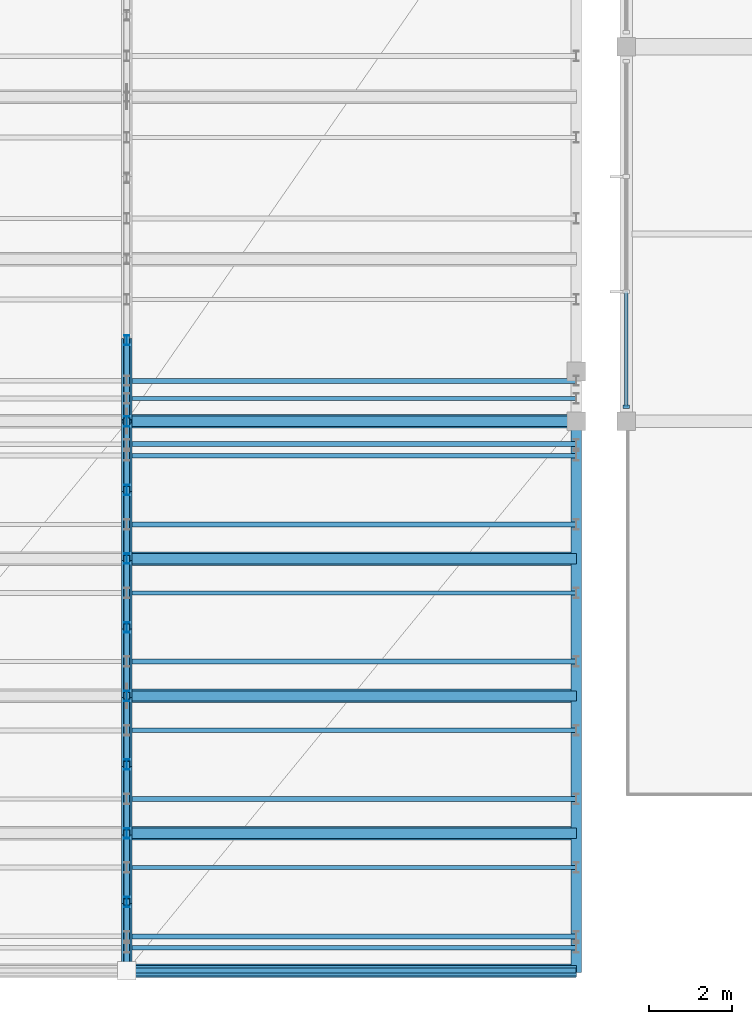
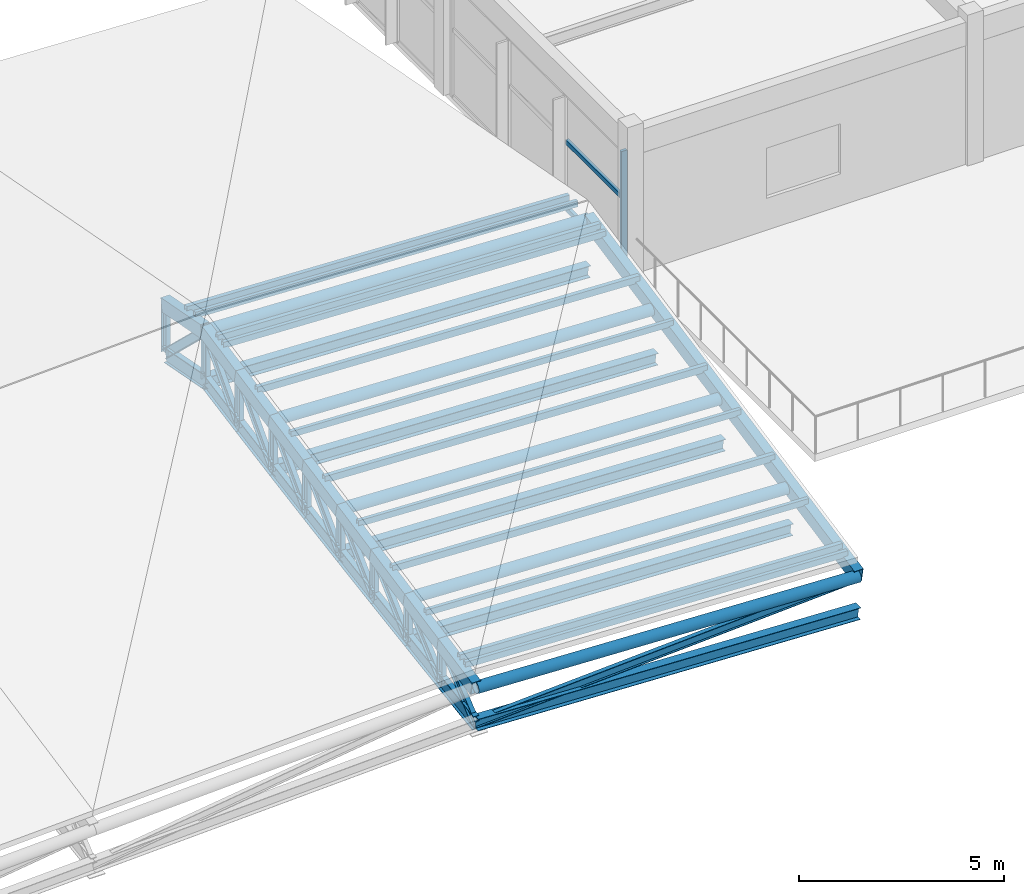
# One storey, part 33 of 89: 44 members, 19 beams, 1 element without a shape of its own.
"""IFC4 building model written with IfcOpenShell, lengths in metres."""

from ifc_helpers import new_model, si_unit, direction, frame, origin, origin_2d, place, context, subcontext, project, spatial, rectangle, hollow_rectangle, hollow_circle, i_section, extrude, material, material_profile, profile_set, type_object, element, aggregate, save


model = new_model("IFC4")

# Units and contexts
model_context = context("Model", 3, precision=1e-05, world=origin(), true_north=direction((0.0, 1.0)))
body_context = subcontext(model_context, "Body", "Model", "MODEL_VIEW")
ifc_project = project(units=[si_unit("LENGTHUNIT", "METRE"), si_unit("AREAUNIT", "SQUARE_METRE"), si_unit("VOLUMEUNIT", "CUBIC_METRE"), si_unit("PLANEANGLEUNIT", "RADIAN"), si_unit("MASSUNIT", "GRAM", prefix="KILO")], contexts=[model_context])

# Site, building, storey
site_placement = place(None, origin())
site = spatial("IfcSite", under=ifc_project, at=site_placement, CompositionType="ELEMENT")
building_placement = place(site_placement, origin())
building = spatial("IfcBuilding", under=site, at=building_placement, Name="Suirenkawa Promenade Aquatics Centre", CompositionType="ELEMENT")
storey_placement = place(building_placement, frame((0.0, 0.0, 9.60009765625)))
storey = spatial("IfcBuildingStorey", under=building, at=storey_placement, Name="L02", CompositionType="ELEMENT", Elevation=9.60009765625)

# Beams
ifc_material_1 = material(Name="Steel IS 2062 E350 (Grade 350)", Category="steel")
ifc_material_profile_1 = material_profile(ifc_material_1, i_section(OverallWidth=0.14990234375, OverallDepth=0.449951171875, WebThickness=0.009033203125, FlangeThickness=0.01708984375, at=origin_2d()), Name="ISMB 450", Category="steel")
ifc_profile_set_1 = profile_set([ifc_material_profile_1], Name="Steel IS 2062 E350 (Grade 350)")
beam_type_1 = type_object("IfcBeamType", Name="BT-STL-ISMB450", PredefinedType="BEAM", material=ifc_profile_set_1)
beam_1_placement = place(storey_placement, frame((144.0, 0.0, -1.260009765625), z_axis=(0.0, 0.988714190876, 0.149814047271), x_axis=(-1.0, 0.0, 0.0)))
element("IfcBeam", 1, at=beam_1_placement, inside=storey, type_object=beam_type_1, Name="ROOF TRUSS V3 bottom chord BM-08 BM-2768", PredefinedType="BEAM", context=body_context, shape_type="SweptSolid", body=[
    extrude(i_section(OverallWidth=0.14990234375, OverallDepth=0.449951171875, WebThickness=0.009033203125, FlangeThickness=0.01708984375, at=origin_2d()), origin(), (0.0, 0.0, 1.0), 1.668701171875),
])
beam_2_placement = place(storey_placement, frame((144.0, 1.64990234375, -1.010009765625), z_axis=(0.0, 0.988368316367, 0.152079160974), x_axis=(-1.0, 0.0, 0.0)))
element("IfcBeam", 2, at=beam_2_placement, inside=storey, type_object=beam_type_1, Name="ROOF TRUSS V3 bottom chord BM-08 BM-2770", PredefinedType="BEAM", context=body_context, shape_type="SweptSolid", body=[
    extrude(i_section(OverallWidth=0.14990234375, OverallDepth=0.449951171875, WebThickness=0.009033203125, FlangeThickness=0.01708984375, at=origin_2d()), origin(), (0.0, 0.0, 1.0), 1.669677734375),
])
beam_3_placement = place(storey_placement, frame((144.0, 3.300048828125, -0.756103515625), z_axis=(0.0, 0.987898893067, 0.155099249119), x_axis=(-1.0, 0.0, 0.0)))
element("IfcBeam", 3, at=beam_3_placement, inside=storey, type_object=beam_type_1, Name="ROOF TRUSS V3 bottom chord BM-08 BM-2772", PredefinedType="BEAM", context=body_context, shape_type="SweptSolid", body=[
    extrude(i_section(OverallWidth=0.14990234375, OverallDepth=0.449951171875, WebThickness=0.009033203125, FlangeThickness=0.01708984375, at=origin_2d()), origin(), (0.0, 0.0, 1.0), 1.670166015625),
])
beam_4_placement = place(storey_placement, frame((144.0, 4.949951171875, -0.4970703125), z_axis=(0.0, 0.987359371107, 0.158497546627), x_axis=(-1.0, 0.0, 0.0)))
element("IfcBeam", 4, at=beam_4_placement, inside=storey, type_object=beam_type_1, Name="ROOF TRUSS V3 bottom chord BM-08 BM-2774", PredefinedType="BEAM", context=body_context, shape_type="SweptSolid", body=[
    extrude(i_section(OverallWidth=0.14990234375, OverallDepth=0.449951171875, WebThickness=0.009033203125, FlangeThickness=0.01708984375, at=origin_2d()), origin(), (0.0, 0.0, 1.0), 1.67138671875),
])
beam_5_placement = place(storey_placement, frame((144.0, 6.60009765625, -0.232177734375), z_axis=(0.0, 0.986283257841, 0.165061610627), x_axis=(-1.0, 0.0, 0.0)))
element("IfcBeam", 5, at=beam_5_placement, inside=storey, type_object=beam_type_1, Name="ROOF TRUSS V3 bottom chord BM-08 BM-2776", PredefinedType="BEAM", context=body_context, shape_type="SweptSolid", body=[
    extrude(i_section(OverallWidth=0.14990234375, OverallDepth=0.449951171875, WebThickness=0.009033203125, FlangeThickness=0.01708984375, at=origin_2d()), origin(), (0.0, 0.0, 1.0), 1.6728515625),
])
beam_6_placement = place(storey_placement, frame((144.0, 8.25, 0.0439453125), z_axis=(0.0, 0.985219243782, 0.171298107642), x_axis=(-1.0, 0.0, 0.0)))
element("IfcBeam", 6, at=beam_6_placement, inside=storey, type_object=beam_type_1, Name="ROOF TRUSS V3 bottom chord BM-08 BM-2778", PredefinedType="BEAM", context=body_context, shape_type="SweptSolid", body=[
    extrude(i_section(OverallWidth=0.14990234375, OverallDepth=0.449951171875, WebThickness=0.009033203125, FlangeThickness=0.01708984375, at=origin_2d()), origin(), (0.0, 0.0, 1.0), 1.674560546875),
])
beam_7_placement = place(storey_placement, frame((144.0, 9.89990234375, 0.330810546875), z_axis=(0.0, 0.983867580991, 0.178898247823), x_axis=(-1.0, 0.0, 0.0)))
element("IfcBeam", 7, at=beam_7_placement, inside=storey, type_object=beam_type_1, Name="ROOF TRUSS V3 bottom chord BM-08 BM-2780", PredefinedType="BEAM", context=body_context, shape_type="SweptSolid", body=[
    extrude(i_section(OverallWidth=0.14990234375, OverallDepth=0.449951171875, WebThickness=0.009033203125, FlangeThickness=0.01708984375, at=origin_2d()), origin(), (0.0, 0.0, 1.0), 1.67724609375),
])
beam_8_placement = place(storey_placement, frame((144.0, 11.550048828125, 0.630859375), z_axis=(0.0, 0.982478263587, 0.186377202415), x_axis=(-1.0, 0.0, 0.0)))
element("IfcBeam", 8, at=beam_8_placement, inside=storey, type_object=beam_type_1, Name="ROOF TRUSS V3 bottom chord BM-08 BM-2782", PredefinedType="BEAM", context=body_context, shape_type="SweptSolid", body=[
    extrude(i_section(OverallWidth=0.14990234375, OverallDepth=0.449951171875, WebThickness=0.009033203125, FlangeThickness=0.01708984375, at=origin_2d()), origin(), (0.0, 0.0, 1.0), 1.679443359375),
])
beam_9_placement = place(storey_placement, frame((144.0, 13.199951171875, 0.94384765625), z_axis=(0.0, 0.982391279596, -0.186835151334), x_axis=(-1.0, 0.0, 0.0)))
element("IfcBeam", 9, at=beam_9_placement, inside=storey, type_object=beam_type_1, Name="ROOF TRUSS V3 bottom chord BM-08 BM-2784", PredefinedType="BEAM", context=body_context, shape_type="SweptSolid", body=[
    extrude(i_section(OverallWidth=0.14990234375, OverallDepth=0.449951171875, WebThickness=0.009033203125, FlangeThickness=0.01708984375, at=origin_2d()), origin(), (0.0, 0.0, 1.0), 1.98486328125),
])
ifc_material_profile_2 = material_profile(ifc_material_1, hollow_rectangle(XDim=0.25, YDim=0.39990234375, WallThickness=0.01611328125, at=origin_2d()), Name="RHS 400x250x16", Category="steel")
ifc_profile_set_2 = profile_set([ifc_material_profile_2], Name="Steel IS 2062 E350 (Grade 350)")
beam_type_2 = type_object("IfcBeamType", Name="BT-TC-RHS400", PredefinedType="BEAM", material=ifc_profile_set_2)
beam_10_placement = place(storey_placement, frame((144.0, 0.0, -0.210205078125), z_axis=(0.0, 0.980457722696, 0.196729901151), x_axis=(-1.0, 0.0, 0.0)))
element("IfcBeam", 10, at=beam_10_placement, inside=storey, type_object=beam_type_2, Name="ROOF TRUSS V3 top chord TC-03 BM-2767", PredefinedType="BEAM", context=body_context, shape_type="SweptSolid", body=[
    extrude(hollow_rectangle(XDim=0.25, YDim=0.39990234375, WallThickness=0.01611328125, at=origin_2d()), origin(), (0.0, 0.0, 1.0), 1.682861328125),
])
beam_11_placement = place(storey_placement, frame((144.0, 1.64990234375, 0.120849609375), z_axis=(0.0, 0.980351285841, 0.197259616621), x_axis=(-1.0, 0.0, 0.0)))
element("IfcBeam", 11, at=beam_11_placement, inside=storey, type_object=beam_type_2, Name="ROOF TRUSS V3 top chord TC-03 BM-2769", PredefinedType="BEAM", context=body_context, shape_type="SweptSolid", body=[
    extrude(hollow_rectangle(XDim=0.25, YDim=0.39990234375, WallThickness=0.01611328125, at=origin_2d()), origin(), (0.0, 0.0, 1.0), 1.68310546875),
])
beam_12_placement = place(storey_placement, frame((144.0, 3.300048828125, 0.452880859375), z_axis=(0.0, 0.980457722696, 0.196729901151), x_axis=(-1.0, 0.0, 0.0)))
element("IfcBeam", 12, at=beam_12_placement, inside=storey, type_object=beam_type_2, Name="ROOF TRUSS V3 top chord TC-03 BM-2771", PredefinedType="BEAM", context=body_context, shape_type="SweptSolid", body=[
    extrude(hollow_rectangle(XDim=0.25, YDim=0.39990234375, WallThickness=0.01611328125, at=origin_2d()), origin(), (0.0, 0.0, 1.0), 1.682861328125),
])
beam_13_placement = place(storey_placement, frame((144.0, 4.949951171875, 0.783935546875), z_axis=(0.0, 0.980463336519, 0.196701921042), x_axis=(-1.0, 0.0, 0.0)))
element("IfcBeam", 13, at=beam_13_placement, inside=storey, type_object=beam_type_2, Name="ROOF TRUSS V3 top chord TC-03 BM-2773", PredefinedType="BEAM", context=body_context, shape_type="SweptSolid", body=[
    extrude(hollow_rectangle(XDim=0.25, YDim=0.39990234375, WallThickness=0.01611328125, at=origin_2d()), origin(), (0.0, 0.0, 1.0), 1.68310546875),
])
for number, where, z_axis, x_axis, name in (
    (14, (144.0, 6.60009765625, 1.114990234375), (0.0, 0.980485697583, 0.196590429154), (-1.0, 0.0, 0.0), "ROOF TRUSS V3 top chord TC-03 BM-2775"),
    (15, (144.0, 8.25, 1.44580078125), (0.0, 0.980345640785, 0.197287669646), (-1.0, 0.0, 0.0), "ROOF TRUSS V3 top chord TC-03 BM-2777"),
):
    element("IfcBeam", number, at=place(storey_placement, frame(where, z_axis=z_axis, x_axis=x_axis)), inside=storey, type_object=beam_type_2, Name=name, PredefinedType="BEAM", context=body_context, shape_type="SweptSolid", body=[
        extrude(hollow_rectangle(XDim=0.25, YDim=0.39990234375, WallThickness=0.01611328125, at=origin_2d()), origin(), (0.0, 0.0, 1.0), 1.682861328125),
    ])
beam_14_placement = place(storey_placement, frame((144.0, 9.89990234375, 1.77783203125), z_axis=(0.0, 0.980463336519, 0.196701921042), x_axis=(-1.0, 0.0, 0.0)))
element("IfcBeam", 16, at=beam_14_placement, inside=storey, type_object=beam_type_2, Name="ROOF TRUSS V3 top chord TC-03 BM-2779", PredefinedType="BEAM", context=body_context, shape_type="SweptSolid", body=[
    extrude(hollow_rectangle(XDim=0.25, YDim=0.39990234375, WallThickness=0.01611328125, at=origin_2d()), origin(), (0.0, 0.0, 1.0), 1.68310546875),
])
beam_15_placement = place(storey_placement, frame((144.0, 11.550048828125, 2.10888671875), z_axis=(0.0, 0.980457722696, 0.196729901151), x_axis=(-1.0, 0.0, 0.0)))
element("IfcBeam", 17, at=beam_15_placement, inside=storey, type_object=beam_type_2, Name="ROOF TRUSS V3 top chord TC-03 BM-2781", PredefinedType="BEAM", context=body_context, shape_type="SweptSolid", body=[
    extrude(hollow_rectangle(XDim=0.25, YDim=0.39990234375, WallThickness=0.01611328125, at=origin_2d()), origin(), (0.0, 0.0, 1.0), 1.682861328125),
])
beam_16_placement = place(storey_placement, frame((144.0, 13.199951171875, 2.43994140625), z_axis=(0.0, 0.98254898431, -0.186004014558), x_axis=(-1.0, 0.0, 0.0)))
element("IfcBeam", 18, at=beam_16_placement, inside=storey, type_object=beam_type_2, Name="ROOF TRUSS V3 top chord TC-03 BM-2783", PredefinedType="BEAM", context=body_context, shape_type="SweptSolid", body=[
    extrude(hollow_rectangle(XDim=0.25, YDim=0.39990234375, WallThickness=0.01611328125, at=origin_2d()), origin(), (0.0, 0.0, 1.0), 1.984619140625),
])
beam_17_placement = place(storey_placement, frame((154.800048828125, 0.0, -0.66015625), z_axis=(0.0, 0.98043533773, 0.196841429912), x_axis=(-1.0, 0.0, 0.0)))
element("IfcBeam", 19, at=beam_17_placement, inside=storey, type_object=beam_type_2, Name="ROOF TRUSS V3 top chord TC-03 BM-2799", PredefinedType="BEAM", context=body_context, shape_type="SweptSolid", body=[
    extrude(hollow_rectangle(XDim=0.25, YDim=0.39990234375, WallThickness=0.01611328125, at=origin_2d()), origin(), (0.0, 0.0, 1.0), 13.46337890625),
])

# Curtain wall, members
ifc_material_2 = material(Name="Anodised aluminium 6063-T6", Category="aluminium")
curtain_wall_type = type_object("IfcCurtainWallType", Name="CWAT-V4WL02-36", PredefinedType="NOTDEFINED", material=ifc_material_2)
curtain_wall_placement = place(storey_placement, origin())
curtain_wall = element("IfcCurtainWall", 20, at=curtain_wall_placement, inside=storey, type_object=curtain_wall_type, Name="Curtain wall CWA-36 CW-079", PredefinedType="NOTDEFINED")
ifc_material_profile_3 = material_profile(ifc_material_2, rectangle(XDim=0.090087890625, YDim=0.159912109375, at=origin_2d()), Name="ALU MULL 90x160", Category="aluminium")
ifc_profile_set_3 = profile_set([ifc_material_profile_3], Name="Anodised aluminium 6063-T6")
member_type_1 = type_object("IfcMemberType", Name="CWM-160x90", PredefinedType="MULLION", material=ifc_profile_set_3)
member_1_placement = place(storey_placement, frame((156.0, 13.549072265625, 0.0), z_axis=(0.0, 0.0, 1.0), x_axis=(0.0, 1.0, 0.0)))
member_1 = element("IfcMember", 21, at=member_1_placement, type_object=member_type_1, Name="Mullion ML-03 CWM-01567", PredefinedType="MULLION", context=body_context, shape_type="SweptSolid", body=[
    extrude(rectangle(XDim=0.090087890625, YDim=0.159912109375, at=origin_2d()), origin(), (0.0, 0.0, 1.0), 3.419921875),
])
ifc_material_profile_4 = material_profile(ifc_material_2, rectangle(XDim=0.090087890625, YDim=0.1298828125, at=origin_2d()), Name="ALU TRAN 90x130", Category="aluminium")
ifc_profile_set_4 = profile_set([ifc_material_profile_4], Name="Anodised aluminium 6063-T6")
member_type_2 = type_object("IfcMemberType", Name="CWT-130x90", PredefinedType="USERDEFINED", material=ifc_profile_set_4)
member_2_placement = place(storey_placement, frame((156.0, 13.549072265625, 0.0), z_axis=(0.0, 1.0, 0.0), x_axis=(-1.0, 0.0, 0.0)))
member_2 = element("IfcMember", 22, at=member_2_placement, type_object=member_type_2, Name="Transom TR-03 CWT-01571", ObjectType="TRANSOM", PredefinedType="USERDEFINED", context=body_context, shape_type="SweptSolid", body=[
    extrude(rectangle(XDim=0.090087890625, YDim=0.1298828125, at=origin_2d()), origin(), (0.0, 0.0, 1.0), 2.767333984375),
])
member_3_placement = place(storey_placement, frame((156.0, 13.549072265625, 2.0), z_axis=(0.0, 1.0, 0.0), x_axis=(-1.0, 0.0, 0.0)))
member_3 = element("IfcMember", 23, at=member_3_placement, type_object=member_type_2, Name="Transom TR-03 CWT-01574", ObjectType="TRANSOM", PredefinedType="USERDEFINED", context=body_context, shape_type="SweptSolid", body=[
    extrude(rectangle(XDim=0.090087890625, YDim=0.1298828125, at=origin_2d()), origin(), (0.0, 0.0, 1.0), 2.767333984375),
])
aggregate(curtain_wall, [member_1, member_2, member_3])

# Members
ifc_material_profile_5 = material_profile(ifc_material_1, hollow_circle(Radius=0.162109375, WallThickness=0.013916015625, at=origin_2d()), Name="CHS 324x14", Category="steel")
ifc_profile_set_5 = profile_set([ifc_material_profile_5], Name="Steel IS 2062 E350 (Grade 350)")
member_type_3 = type_object("IfcMemberType", Name="MT-CHORD-CHS324", PredefinedType="CHORD", material=ifc_profile_set_5)
for number, where, z_axis, x_axis, name in (
    (24, (144.0, 0.0, -0.210205078125), (0.9991332688, 0.0, -0.041625847467), (0.0, 1.0, 0.0), "ROOF TRUSS V3 eave top chord CH-01 MB-1511"),
    (25, (144.0, 3.300048828125, 0.452880859375), (0.9991332688, 0.0, -0.041625847467), (0.0, 1.0, 0.0), "ROOF TRUSS V3 tie chord CH-01 MB-1547"),
    (26, (144.0, 6.60009765625, 1.114990234375), (0.999132329203, 0.0, -0.041648394219), (0.0, 1.0, 0.0), "ROOF TRUSS V3 tie chord CH-01 MB-1561"),
    (27, (144.0, 9.89990234375, 1.77783203125), (0.9991332688, 0.0, -0.041625847467), (0.0, 1.0, 0.0), "ROOF TRUSS V3 tie chord CH-01 MB-1575"),
    (28, (144.0, 13.199951171875, 2.43994140625), (0.9991332688, 0.0, -0.041625847467), (0.0, 1.0, 0.0), "ROOF TRUSS V3 tie chord CH-01 MB-1589"),
):
    element("IfcMember", number, at=place(storey_placement, frame(where, z_axis=z_axis, x_axis=x_axis)), inside=storey, type_object=member_type_3, Name=name, PredefinedType="CHORD", context=body_context, shape_type="SweptSolid", body=[
        extrude(hollow_circle(Radius=0.162109375, WallThickness=0.013916015625, at=origin_2d()), origin(), (0.0, 0.0, 1.0), 10.809326171875),
    ])
ifc_material_profile_6 = material_profile(ifc_material_1, i_section(OverallWidth=0.25, OverallDepth=0.35009765625, WebThickness=0.010009765625, FlangeThickness=0.011962890625, at=origin_2d()), Name="ISHB 350", Category="steel")
ifc_profile_set_6 = profile_set([ifc_material_profile_6], Name="Steel IS 2062 E350 (Grade 350)")
member_type_4 = type_object("IfcMemberType", Name="MT-CHORD-ISHB350", PredefinedType="CHORD", material=ifc_profile_set_6)
for number, where, z_axis, x_axis, name in (
    (29, (144.0, 0.0, -1.260009765625), (0.999132329203, 0.0, -0.041648394219), (0.0, 1.0, 0.0), "ROOF TRUSS V3 eave bottom chord CH-04 MB-1512"),
    (30, (144.0, 3.300048828125, -0.756103515625), (0.9991332688, 0.0, -0.041625847467), (0.0, 1.0, 0.0), "ROOF TRUSS V3 bottom tie CH-04 MB-1548"),
    (31, (144.0, 6.60009765625, -0.232177734375), (0.9991332688, 0.0, -0.041625847467), (0.0, 1.0, 0.0), "ROOF TRUSS V3 bottom tie CH-04 MB-1562"),
    (32, (144.0, 9.89990234375, 0.330810546875), (0.9991332688, 0.0, -0.041625847467), (0.0, 1.0, 0.0), "ROOF TRUSS V3 bottom tie CH-04 MB-1576"),
    (33, (144.0, 13.199951171875, 0.94384765625), (0.9991332688, 0.0, -0.041625847467), (0.0, 1.0, 0.0), "ROOF TRUSS V3 bottom tie CH-04 MB-1590"),
):
    element("IfcMember", number, at=place(storey_placement, frame(where, z_axis=z_axis, x_axis=x_axis)), inside=storey, type_object=member_type_4, Name=name, PredefinedType="CHORD", context=body_context, shape_type="SweptSolid", body=[
        extrude(i_section(OverallWidth=0.25, OverallDepth=0.35009765625, WebThickness=0.010009765625, FlangeThickness=0.011962890625, at=origin_2d()), origin(), (0.0, 0.0, 1.0), 10.809326171875),
    ])
ifc_material_profile_7 = material_profile(ifc_material_1, hollow_rectangle(XDim=0.10009765625, YDim=0.179931640625, WallThickness=0.008056640625, at=origin_2d()), Name="RHS 180x100x8", Category="steel")
ifc_profile_set_7 = profile_set([ifc_material_profile_7], Name="Steel IS 2062 E350 (Grade 350)")
member_type_5 = type_object("IfcMemberType", Name="MT-PURLIN-RHS180", PredefinedType="PURLIN", material=ifc_profile_set_7)
for number, where, z_axis, x_axis, name in (
    (34, (144.0, 0.550048828125, 0.15185546875), (0.9991332688, 0.0, -0.041625847467), (0.0, 1.0, 0.0), "ROOF TRUSS Roof purlin PU-01 MB-2865"),
    (35, (144.0, 2.47509765625, 0.538818359375), (0.9991332688, 0.0, -0.041625847467), (0.0, 1.0, 0.0), "ROOF TRUSS Roof purlin PU-01 MB-2869"),
    (36, (144.0, 5.77490234375, 1.200927734375), (0.9991332688, 0.0, -0.041625847467), (0.0, 1.0, 0.0), "ROOF TRUSS Roof purlin PU-01 MB-2873"),
    (37, (144.0, 9.074951171875, 1.864013671875), (0.999132329203, 0.0, -0.041648394219), (0.0, 1.0, 0.0), "ROOF TRUSS Roof purlin PU-01 MB-2877"),
    (38, (144.0, 12.375, 2.52587890625), (0.9991332688, 0.0, -0.041625847467), (0.0, 1.0, 0.0), "ROOF TRUSS Roof purlin PU-01 MB-2881"),
    (39, (144.0, 13.75, 2.5888671875), (0.9991332688, 0.0, -0.041625847467), (0.0, 1.0, 0.0), "ROOF TRUSS Roof purlin PU-01 MB-2885"),
):
    element("IfcMember", number, at=place(storey_placement, frame(where, z_axis=z_axis, x_axis=x_axis)), inside=storey, type_object=member_type_5, Name=name, PredefinedType="PURLIN", context=body_context, shape_type="SweptSolid", body=[
        extrude(hollow_rectangle(XDim=0.10009765625, YDim=0.179931640625, WallThickness=0.008056640625, at=origin_2d()), origin(), (0.0, 0.0, 1.0), 10.809326171875),
    ])
ifc_material_profile_8 = material_profile(ifc_material_1, hollow_rectangle(XDim=0.1201171875, YDim=0.199951171875, WallThickness=0.008056640625, at=origin_2d()), Name="RHS 200x120x8", Category="steel")
ifc_profile_set_8 = profile_set([ifc_material_profile_8], Name="Steel IS 2062 E350 (Grade 350)")
member_type_6 = type_object("IfcMemberType", Name="MT-PURLIN-RHS200", PredefinedType="PURLIN", material=ifc_profile_set_8)
for number, where, z_axis, x_axis, name in (
    (40, (144.0, 0.824951171875, 0.19580078125), (0.9991332688, 0.0, -0.041625847467), (0.0, 1.0, 0.0), "ROOF TRUSS Roof purlin PU-02 MB-2867"),
    (41, (144.0, 4.125, 0.85791015625), (0.9991332688, 0.0, -0.041625847467), (0.0, 1.0, 0.0), "ROOF TRUSS Roof purlin PU-02 MB-2871"),
    (42, (144.0, 7.425048828125, 1.52099609375), (0.999132329203, 0.0, -0.041648394219), (0.0, 1.0, 0.0), "ROOF TRUSS Roof purlin PU-02 MB-2875"),
    (43, (144.0, 10.72509765625, 2.182861328125), (0.9991332688, 0.0, -0.041625847467), (0.0, 1.0, 0.0), "ROOF TRUSS Roof purlin PU-02 MB-2879"),
    (44, (144.0, 12.64990234375, 2.56884765625), (0.999137022116, 0.0, -0.041535659825), (0.0, 1.0, 0.0), "ROOF TRUSS Roof purlin PU-02 MB-2883"),
    (45, (144.0, 14.175048828125, 2.496826171875), (0.9991332688, 0.0, -0.041625847467), (0.0, 1.0, 0.0), "ROOF TRUSS Roof purlin PU-02 MB-2887"),
):
    element("IfcMember", number, at=place(storey_placement, frame(where, z_axis=z_axis, x_axis=x_axis)), inside=storey, type_object=member_type_6, Name=name, PredefinedType="PURLIN", context=body_context, shape_type="SweptSolid", body=[
        extrude(hollow_rectangle(XDim=0.1201171875, YDim=0.199951171875, WallThickness=0.008056640625, at=origin_2d()), origin(), (0.0, 0.0, 1.0), 10.809326171875),
    ])
ifc_material_profile_9 = material_profile(ifc_material_1, i_section(OverallWidth=0.125, OverallDepth=0.25, WebThickness=0.007080078125, FlangeThickness=0.012939453125, at=origin_2d()), Name="ISMB 250", Category="steel")
ifc_profile_set_9 = profile_set([ifc_material_profile_9], Name="Steel IS 2062 E350 (Grade 350)")
member_type_7 = type_object("IfcMemberType", Name="MT-WEB-CHS168", PredefinedType="BRACE", material=ifc_profile_set_9)
member_4_placement = place(storey_placement, frame((144.0, 0.0, -1.260009765625), z_axis=(0.0, 0.766861576126, 0.64181252953), x_axis=(-1.0, 0.0, 0.0)))
element("IfcMember", 46, at=member_4_placement, inside=storey, type_object=member_type_7, Name="ROOF TRUSS V3 web diagonal TD-03 MB-1462", PredefinedType="BRACE", context=body_context, shape_type="SweptSolid", body=[
    extrude(i_section(OverallWidth=0.125, OverallDepth=0.25, WebThickness=0.007080078125, FlangeThickness=0.012939453125, at=origin_2d()), origin(), (0.0, 0.0, 1.0), 2.151611328125),
])
member_5_placement = place(storey_placement, frame((144.0, 1.64990234375, -1.010009765625), z_axis=(0.0, 0.748288234749, 0.663373739106), x_axis=(-1.0, 0.0, 0.0)))
element("IfcMember", 47, at=member_5_placement, inside=storey, type_object=member_type_7, Name="ROOF TRUSS V3 web diagonal TD-03 MB-1463", PredefinedType="BRACE", context=body_context, shape_type="SweptSolid", body=[
    extrude(i_section(OverallWidth=0.125, OverallDepth=0.25, WebThickness=0.007080078125, FlangeThickness=0.012939453125, at=origin_2d()), origin(), (0.0, 0.0, 1.0), 2.205322265625),
])
member_6_placement = place(storey_placement, frame((144.0, 3.300048828125, -0.756103515625), z_axis=(0.0, 0.731026490239, 0.682349082632), x_axis=(-1.0, 0.0, 0.0)))
element("IfcMember", 48, at=member_6_placement, inside=storey, type_object=member_type_7, Name="ROOF TRUSS V3 web diagonal TD-03 MB-1464", PredefinedType="BRACE", context=body_context, shape_type="SweptSolid", body=[
    extrude(i_section(OverallWidth=0.125, OverallDepth=0.25, WebThickness=0.007080078125, FlangeThickness=0.012939453125, at=origin_2d()), origin(), (0.0, 0.0, 1.0), 2.257080078125),
])
member_7_placement = place(storey_placement, frame((144.0, 4.949951171875, -0.4970703125), z_axis=(0.0, 0.715313433298, 0.698803757963), x_axis=(-1.0, 0.0, 0.0)))
element("IfcMember", 49, at=member_7_placement, inside=storey, type_object=member_type_7, Name="ROOF TRUSS V3 web diagonal TD-03 MB-1465", PredefinedType="BRACE", context=body_context, shape_type="SweptSolid", body=[
    extrude(i_section(OverallWidth=0.125, OverallDepth=0.25, WebThickness=0.007080078125, FlangeThickness=0.012939453125, at=origin_2d()), origin(), (0.0, 0.0, 1.0), 2.306884765625),
])
member_8_placement = place(storey_placement, frame((144.0, 6.60009765625, -0.232177734375), z_axis=(0.0, 0.701116216261, 0.713047018994), x_axis=(-1.0, 0.0, 0.0)))
element("IfcMember", 50, at=member_8_placement, inside=storey, type_object=member_type_7, Name="ROOF TRUSS V3 web diagonal TD-03 MB-1466", PredefinedType="BRACE", context=body_context, shape_type="SweptSolid", body=[
    extrude(i_section(OverallWidth=0.125, OverallDepth=0.25, WebThickness=0.007080078125, FlangeThickness=0.012939453125, at=origin_2d()), origin(), (0.0, 0.0, 1.0), 2.353271484375),
])
member_9_placement = place(storey_placement, frame((144.0, 8.25, 0.0439453125), z_axis=(0.0, 0.689344366045, 0.724433809952), x_axis=(-1.0, 0.0, 0.0)))
element("IfcMember", 51, at=member_9_placement, inside=storey, type_object=member_type_7, Name="ROOF TRUSS V3 web diagonal TD-03 MB-1467", PredefinedType="BRACE", context=body_context, shape_type="SweptSolid", body=[
    extrude(i_section(OverallWidth=0.125, OverallDepth=0.25, WebThickness=0.007080078125, FlangeThickness=0.012939453125, at=origin_2d()), origin(), (0.0, 0.0, 1.0), 2.3935546875),
])
member_10_placement = place(storey_placement, frame((144.0, 9.89990234375, 0.330810546875), z_axis=(0.0, 0.680246477902, 0.732983444084), x_axis=(-1.0, 0.0, 0.0)))
element("IfcMember", 52, at=member_10_placement, inside=storey, type_object=member_type_7, Name="ROOF TRUSS V3 web diagonal TD-03 MB-1468", PredefinedType="BRACE", context=body_context, shape_type="SweptSolid", body=[
    extrude(i_section(OverallWidth=0.125, OverallDepth=0.25, WebThickness=0.007080078125, FlangeThickness=0.012939453125, at=origin_2d()), origin(), (0.0, 0.0, 1.0), 2.42578125),
])
member_11_placement = place(storey_placement, frame((144.0, 11.550048828125, 0.630859375), z_axis=(0.0, 0.673853139616, 0.738865309938), x_axis=(-1.0, 0.0, 0.0)))
element("IfcMember", 53, at=member_11_placement, inside=storey, type_object=member_type_7, Name="ROOF TRUSS V3 web diagonal TD-03 MB-1469", PredefinedType="BRACE", context=body_context, shape_type="SweptSolid", body=[
    extrude(i_section(OverallWidth=0.125, OverallDepth=0.25, WebThickness=0.007080078125, FlangeThickness=0.012939453125, at=origin_2d()), origin(), (0.0, 0.0, 1.0), 2.448486328125),
])
member_12_placement = place(storey_placement, frame((144.0, 13.199951171875, 2.43994140625), z_axis=(0.0, 0.722313777242, -0.691565475719), x_axis=(-1.0, 0.0, 0.0)))
element("IfcMember", 54, at=member_12_placement, inside=storey, type_object=member_type_7, Name="ROOF TRUSS V3 web diagonal TD-03 MB-1470", PredefinedType="BRACE", context=body_context, shape_type="SweptSolid", body=[
    extrude(i_section(OverallWidth=0.125, OverallDepth=0.25, WebThickness=0.007080078125, FlangeThickness=0.012939453125, at=origin_2d()), origin(), (0.0, 0.0, 1.0), 2.69970703125),
])
member_13_placement = place(storey_placement, frame((144.0, 1.64990234375, -1.010009765625), z_axis=(0.0, 0.0, 1.0), x_axis=(1.0, 0.0, 0.0)))
element("IfcMember", 55, at=member_13_placement, inside=storey, type_object=member_type_7, Name="ROOF TRUSS V3 web post TD-03 MB-1478", PredefinedType="BRACE", context=body_context, shape_type="SweptSolid", body=[
    extrude(i_section(OverallWidth=0.125, OverallDepth=0.25, WebThickness=0.007080078125, FlangeThickness=0.012939453125, at=origin_2d()), origin(), (0.0, 0.0, 1.0), 1.130859375),
])
member_14_placement = place(storey_placement, frame((144.0, 3.300048828125, -0.756103515625), z_axis=(0.0, 0.0, 1.0), x_axis=(1.0, 0.0, 0.0)))
element("IfcMember", 56, at=member_14_placement, inside=storey, type_object=member_type_7, Name="ROOF TRUSS V3 web post TD-03 MB-1479", PredefinedType="BRACE", context=body_context, shape_type="SweptSolid", body=[
    extrude(i_section(OverallWidth=0.125, OverallDepth=0.25, WebThickness=0.007080078125, FlangeThickness=0.012939453125, at=origin_2d()), origin(), (0.0, 0.0, 1.0), 1.208984375),
])
member_15_placement = place(storey_placement, frame((144.0, 4.949951171875, -0.4970703125), z_axis=(0.0, 0.0, 1.0), x_axis=(1.0, 0.0, 0.0)))
element("IfcMember", 57, at=member_15_placement, inside=storey, type_object=member_type_7, Name="ROOF TRUSS V3 web post TD-03 MB-1480", PredefinedType="BRACE", context=body_context, shape_type="SweptSolid", body=[
    extrude(i_section(OverallWidth=0.125, OverallDepth=0.25, WebThickness=0.007080078125, FlangeThickness=0.012939453125, at=origin_2d()), origin(), (0.0, 0.0, 1.0), 1.281005859375),
])
member_16_placement = place(storey_placement, frame((144.0, 6.60009765625, -0.232177734375), z_axis=(0.0, 0.0, 1.0), x_axis=(1.0, 0.0, 0.0)))
element("IfcMember", 58, at=member_16_placement, inside=storey, type_object=member_type_7, Name="ROOF TRUSS V3 web post TD-03 MB-1481", PredefinedType="BRACE", context=body_context, shape_type="SweptSolid", body=[
    extrude(i_section(OverallWidth=0.125, OverallDepth=0.25, WebThickness=0.007080078125, FlangeThickness=0.012939453125, at=origin_2d()), origin(), (0.0, 0.0, 1.0), 1.34716796875),
])
member_17_placement = place(storey_placement, frame((144.0, 8.25, 0.0439453125), z_axis=(0.0, 0.0, 1.0), x_axis=(1.0, 0.0, 0.0)))
element("IfcMember", 59, at=member_17_placement, inside=storey, type_object=member_type_7, Name="ROOF TRUSS V3 web post TD-03 MB-1482", PredefinedType="BRACE", context=body_context, shape_type="SweptSolid", body=[
    extrude(i_section(OverallWidth=0.125, OverallDepth=0.25, WebThickness=0.007080078125, FlangeThickness=0.012939453125, at=origin_2d()), origin(), (0.0, 0.0, 1.0), 1.40185546875),
])
member_18_placement = place(storey_placement, frame((144.0, 9.89990234375, 0.330810546875), z_axis=(0.0, 0.0, 1.0), x_axis=(1.0, 0.0, 0.0)))
element("IfcMember", 60, at=member_18_placement, inside=storey, type_object=member_type_7, Name="ROOF TRUSS V3 web post TD-03 MB-1483", PredefinedType="BRACE", context=body_context, shape_type="SweptSolid", body=[
    extrude(i_section(OverallWidth=0.125, OverallDepth=0.25, WebThickness=0.007080078125, FlangeThickness=0.012939453125, at=origin_2d()), origin(), (0.0, 0.0, 1.0), 1.447021484375),
])
member_19_placement = place(storey_placement, frame((144.0, 11.550048828125, 0.630859375), z_axis=(0.0, 0.0, 1.0), x_axis=(1.0, 0.0, 0.0)))
element("IfcMember", 61, at=member_19_placement, inside=storey, type_object=member_type_7, Name="ROOF TRUSS V3 web post TD-03 MB-1484", PredefinedType="BRACE", context=body_context, shape_type="SweptSolid", body=[
    extrude(i_section(OverallWidth=0.125, OverallDepth=0.25, WebThickness=0.007080078125, FlangeThickness=0.012939453125, at=origin_2d()), origin(), (0.0, 0.0, 1.0), 1.47802734375),
])
member_20_placement = place(storey_placement, frame((144.0, 13.199951171875, 0.94384765625), z_axis=(0.0, 0.0, 1.0), x_axis=(1.0, 0.0, 0.0)))
element("IfcMember", 62, at=member_20_placement, inside=storey, type_object=member_type_7, Name="ROOF TRUSS V3 web post TD-03 MB-1485", PredefinedType="BRACE", context=body_context, shape_type="SweptSolid", body=[
    extrude(i_section(OverallWidth=0.125, OverallDepth=0.25, WebThickness=0.007080078125, FlangeThickness=0.012939453125, at=origin_2d()), origin(), (0.0, 0.0, 1.0), 1.49609375),
])
member_21_placement = place(storey_placement, frame((144.0, 15.14990234375, 0.572998046875), z_axis=(0.0, 0.0, 1.0), x_axis=(1.0, 0.0, 0.0)))
element("IfcMember", 63, at=member_21_placement, inside=storey, type_object=member_type_7, Name="ROOF TRUSS V3 web post TD-03 MB-1486", PredefinedType="BRACE", context=body_context, shape_type="SweptSolid", body=[
    extrude(i_section(OverallWidth=0.125, OverallDepth=0.25, WebThickness=0.007080078125, FlangeThickness=0.012939453125, at=origin_2d()), origin(), (0.0, 0.0, 1.0), 1.497802734375),
])
member_22_placement = place(storey_placement, frame((144.0, 0.0, -1.260009765625), z_axis=(0.998461117043, 0.0, 0.055456268838), x_axis=(0.0, 1.0, 0.0)))
element("IfcMember", 64, at=member_22_placement, inside=storey, type_object=member_type_7, Name="ROOF TRUSS V3 eave web diagonal TD-03 MB-1513", PredefinedType="BRACE", context=body_context, shape_type="SweptSolid", body=[
    extrude(i_section(OverallWidth=0.125, OverallDepth=0.25, WebThickness=0.007080078125, FlangeThickness=0.012939453125, at=origin_2d()), origin(), (0.0, 0.0, 1.0), 10.816650390625),
])

save(model, "model.ifc")
